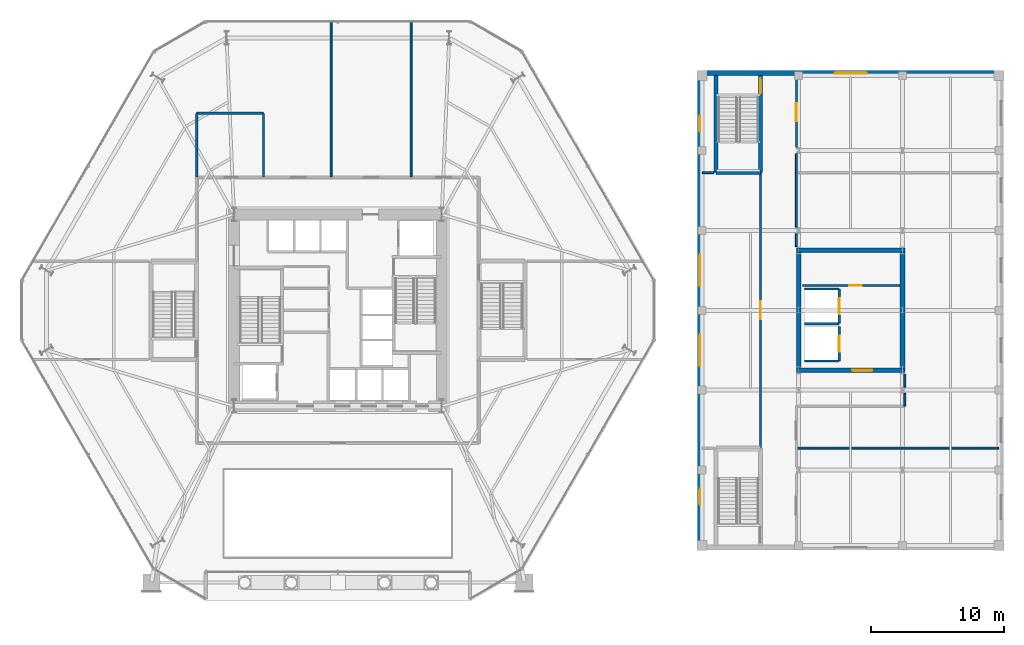
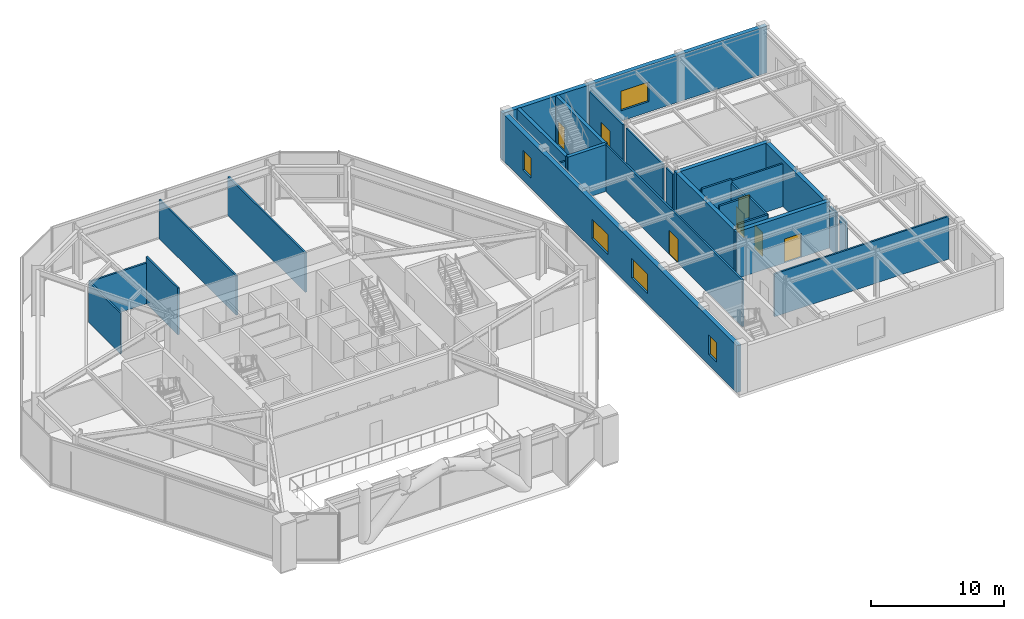
# One storey, part 18 of 23: 28 walls, 7 doors, 5 windows, 12 openings.
"""IFC4 building model written with IfcOpenShell, lengths in metres."""

from ifc_helpers import new_model, si_unit, direction, frame, frame_2d, origin, place, context, subcontext, project, spatial, rectangle, extrude, material, layer, layer_set, type_object, element, fill, save


model = new_model("IFC4")

# Units and contexts
model_context = context("Model", 3, precision=1e-05, world=origin(), true_north=direction((0.0, 1.0)))
body_context = subcontext(model_context, "Body", "Model", "MODEL_VIEW")
ifc_project = project(units=[si_unit("LENGTHUNIT", "METRE"), si_unit("AREAUNIT", "SQUARE_METRE"), si_unit("VOLUMEUNIT", "CUBIC_METRE"), si_unit("PLANEANGLEUNIT", "RADIAN"), si_unit("MASSUNIT", "GRAM", prefix="KILO")], contexts=[model_context])

# Site, building, storey
site_placement = place(None, origin())
site = spatial("IfcSite", under=ifc_project, at=site_placement, CompositionType="ELEMENT")
building_placement = place(site_placement, origin())
building = spatial("IfcBuilding", under=site, at=building_placement, Name="Kranzbogen Civic Tower", CompositionType="ELEMENT")
storey_placement = place(building_placement, frame((0.0, 0.0, 14.39990234375)))
storey = spatial("IfcBuildingStorey", under=building, at=storey_placement, Name="L03", CompositionType="ELEMENT", Elevation=14.39990234375)

# Walls
ifc_material_1 = material(Name="Double-Stud Acoustic Gypsum Partition")
ifc_layer_1 = layer(ifc_material_1, 0.14990234375, Name="Double-Stud Acoustic Gypsum Partition")
ifc_layer_set_1 = layer_set([ifc_layer_1], Name="Double-Stud Acoustic Gypsum Partition")
wall_type_1 = type_object("IfcWallType", Name="Acoustic Corridor and Clinical Partition 150 mm", PredefinedType="PARTITIONING", material=ifc_layer_set_1)
for number, where, z_axis, x_axis, name in (
    (1, (24.5, 35.030029296875, 0.0), (0.0, 0.0, 1.0), (0.0, 1.0, 0.0), "L03 podium partition 08"),
    (2, (30.5, 35.030029296875, 0.0), (0.0, 0.0, 1.0), (0.0, 1.0, 0.0), "L03 podium partition 09"),
):
    element("IfcWall", number, at=place(storey_placement, frame(where, z_axis=z_axis, x_axis=x_axis)), inside=storey, type_object=wall_type_1, Name=name, PredefinedType="PARTITIONING", context=body_context, shape_type="SweptSolid", body=[
        extrude(rectangle(XDim=11.669921875, YDim=0.14990234375, at=frame_2d((5.8349609375, 0.0))), origin(), (0.0, 0.0, 1.0), 3.60009765625),
    ])

# Wall, opening, door
wall_1_placement = place(storey_placement, frame((56.75, 14.64990234375, 0.0), z_axis=(0.0, 0.0, 1.0), x_axis=(0.0, 1.0, 0.0)))
wall_1 = element("IfcWall", 3, at=wall_1_placement, inside=storey, type_object=wall_type_1, Name="L03 clinical corridor W wall", PredefinedType="PARTITIONING", context=body_context, shape_type="SweptSolid", body=[
    extrude(rectangle(XDim=20.7001953125, YDim=0.14990234375, at=frame_2d((10.35009765625, 0.0))), origin(), (0.0, 0.0, 1.0), 4.300048828125),
])
opening_1_placement = place(wall_1_placement, frame((9.675048828125, 0.0, 0.0)))
opening_1 = element("IfcOpeningElement", 4, at=opening_1_placement, cuts=wall_1, Name="Opening D-CLN60", PredefinedType="OPENING", context=body_context, shape_type="SweptSolid", body=[
    extrude(rectangle(XDim=1.35009765625, YDim=2.199951171875, at=frame_2d((0.675048828125, 1.10009765625))), frame((0.0, 0.0849609375, 0.0), z_axis=(0.0, -1.0, 0.0), x_axis=(1.0, 0.0, 0.0)), (0.0, 0.0, 1.0), 0.169921875),
])
ifc_material_2 = material(Name="Pale Anodised Aluminium", Category="aluminium")
door_type_1 = type_object("IfcDoorType", Name="Clinical Wide Leaf Door 1350x2200", OperationType="NOTDEFINED", PredefinedType="DOOR", material=ifc_material_2)
door_1_placement = place(opening_1_placement, origin())
door_1 = element("IfcDoor", 5, at=door_1_placement, inside=storey, type_object=door_type_1, Name="L03 Maternal Antenatal Care Lounge door", OperationType="SINGLE_SWING_RIGHT", OverallHeight=2.199951171875, OverallWidth=1.35009765625, PredefinedType="DOOR", context=body_context, shape_type="SweptSolid", body=[
    extrude(rectangle(XDim=1.35009765625, YDim=2.199951171875, at=frame_2d((0.675048828125, 1.10009765625))), frame((0.0, 0.02490234375, 0.0), z_axis=(0.0, -1.0, 0.0), x_axis=(1.0, 0.0, 0.0)), (0.0, 0.0, 1.0), 0.050048828125),
])
fill(opening_1, door_1)

# Walls
wall_2_placement = place(storey_placement, frame((59.425048828125, 29.7900390625, 0.0), z_axis=(0.0, 0.0, 1.0), x_axis=(0.0, 1.0, 0.0)))
element("IfcWall", 6, at=wall_2_placement, inside=storey, type_object=wall_type_1, Name="L03 clinical corridor E2 wall part 1", PredefinedType="PARTITIONING", context=body_context, shape_type="SweptSolid", body=[
    extrude(rectangle(XDim=0.969970703125, YDim=0.14990234375, at=frame_2d((0.48486328125, 0.0))), origin(), (0.0, 0.0, 1.0), 3.940185546875),
])
wall_3_placement = place(storey_placement, frame((59.425048828125, 31.239990234375, 0.0), z_axis=(0.0, 0.0, 1.0), x_axis=(0.0, 1.0, 0.0)))
element("IfcWall", 7, at=wall_3_placement, inside=storey, type_object=wall_type_1, Name="L03 clinical corridor E2 wall part 2", PredefinedType="PARTITIONING", context=body_context, shape_type="SweptSolid", body=[
    extrude(rectangle(XDim=5.52001953125, YDim=0.14990234375, at=frame_2d((2.760009765625, 0.0))), origin(), (0.0, 0.0, 1.0), 3.940185546875),
])

# Wall, opening, door
wall_4_placement = place(storey_placement, frame((59.425048828125, 37.239990234375, 0.0), z_axis=(0.0, 0.0, 1.0), x_axis=(0.0, 1.0, 0.0)))
wall_4 = element("IfcWall", 8, at=wall_4_placement, inside=storey, type_object=wall_type_1, Name="L03 clinical corridor E2 wall part 3", PredefinedType="PARTITIONING", context=body_context, shape_type="SweptSolid", body=[
    extrude(rectangle(XDim=5.070068359375, YDim=0.14990234375, at=frame_2d((2.53515625, 0.0))), origin(), (0.0, 0.0, 1.0), 3.940185546875),
])
opening_2_placement = place(wall_4_placement, frame((1.948974609375, 0.0, 0.0)))
opening_2 = element("IfcOpeningElement", 9, at=opening_2_placement, cuts=wall_4, Name="Opening D-CLN60", PredefinedType="OPENING", context=body_context, shape_type="SweptSolid", body=[
    extrude(rectangle(XDim=1.35009765625, YDim=2.199951171875, at=frame_2d((0.675048828125, 1.10009765625))), frame((0.0, 0.0849609375, 0.0), z_axis=(0.0, -1.0, 0.0), x_axis=(1.0, 0.0, 0.0)), (0.0, 0.0, 1.0), 0.169921875),
])
door_2_placement = place(opening_2_placement, origin())
door_2 = element("IfcDoor", 10, at=door_2_placement, inside=storey, type_object=door_type_1, Name="L03 Family Waiting Area door", OperationType="SINGLE_SWING_RIGHT", OverallHeight=2.199951171875, OverallWidth=1.35009765625, PredefinedType="DOOR", context=body_context, shape_type="SweptSolid", body=[
    extrude(rectangle(XDim=1.35009765625, YDim=2.199951171875, at=frame_2d((0.675048828125, 1.10009765625))), frame((0.0, 0.02490234375, 0.0), z_axis=(0.0, -1.0, 0.0), x_axis=(1.0, 0.0, 0.0)), (0.0, 0.0, 1.0), 0.050048828125),
])
fill(opening_2, door_2)

# Walls
wall_5_placement = place(storey_placement, frame((67.574951171875, 17.800048828125, 0.0), z_axis=(0.0, 0.0, 1.0), x_axis=(0.0, 1.0, 0.0)))
element("IfcWall", 11, at=wall_5_placement, inside=storey, type_object=wall_type_1, Name="L03 clinical partition 01 part 1", PredefinedType="PARTITIONING", context=body_context, shape_type="SweptSolid", body=[
    extrude(rectangle(XDim=0.9599609375, YDim=0.14990234375, at=frame_2d((0.47998046875, 0.0))), origin(), (0.0, 0.0, 1.0), 3.940185546875),
])
wall_6_placement = place(storey_placement, frame((67.574951171875, 19.239990234375, 0.0), z_axis=(0.0, 0.0, 1.0), x_axis=(0.0, 1.0, 0.0)))
element("IfcWall", 12, at=wall_6_placement, inside=storey, type_object=wall_type_1, Name="L03 clinical partition 01 part 2", PredefinedType="PARTITIONING", context=body_context, shape_type="SweptSolid", body=[
    extrude(rectangle(XDim=0.969970703125, YDim=0.14990234375, at=frame_2d((0.48486328125, 0.0))), origin(), (0.0, 0.0, 1.0), 3.940185546875),
])
wall_7_placement = place(storey_placement, frame((59.455078125, 14.64990234375, 0.0), z_axis=(0.0, 0.0, 1.0), x_axis=(1.0, 0.0, 0.0)))
element("IfcWall", 13, at=wall_7_placement, inside=storey, type_object=wall_type_1, Name="L03 clinical partition 04", PredefinedType="PARTITIONING", context=body_context, shape_type="SweptSolid", body=[
    extrude(rectangle(XDim=15.1650390625, YDim=0.14990234375, at=frame_2d((7.58251953125, 0.0))), origin(), (0.0, 0.0, 1.0), 3.940185546875),
])
wall_8_placement = place(storey_placement, frame((52.3798828125, 35.35009765625, 0.0), z_axis=(0.0, 0.0, 1.0), x_axis=(1.0, 0.0, 0.0)))
element("IfcWall", 14, at=wall_8_placement, inside=storey, type_object=wall_type_1, Name="L03 clinical partition 05", PredefinedType="PARTITIONING", context=body_context, shape_type="SweptSolid", body=[
    extrude(rectangle(XDim=0.840087890625, YDim=0.14990234375, at=frame_2d((0.419921875, 0.0))), origin(), (0.0, 0.0, 1.0), 3.940185546875),
])

# Wall, opening, door
ifc_material_3 = material(Name="Gypsum Fireboard Shaftliner")
ifc_layer_2 = layer(ifc_material_3, 0.175048828125, Name="Gypsum Fireboard Shaftliner")
ifc_layer_set_2 = layer_set([ifc_layer_2], Name="Gypsum Fireboard Shaftliner")
wall_type_2 = type_object("IfcWallType", Name="Fire-Rated Lift and Service Shaft Wall 175 mm", PredefinedType="PARTITIONING", material=ifc_layer_set_2)
wall_9_placement = place(storey_placement, frame((62.64990234375, 21.199951171875, 0.0), z_axis=(0.0, 0.0, 1.0), x_axis=(0.0, 1.0, 0.0)))
wall_9 = element("IfcWall", 15, at=wall_9_placement, inside=storey, type_object=wall_type_2, Name="L03 lift HC-L1 landing wall", PredefinedType="PARTITIONING", context=body_context, shape_type="SweptSolid", body=[
    extrude(rectangle(XDim=2.60009765625, YDim=0.175048828125, at=frame_2d((1.300048828125, 0.0))), origin(), (0.0, 0.0, 1.0), 4.300048828125),
])
opening_3_placement = place(wall_9_placement, frame((0.699951171875, 0.0, 0.0)))
opening_3 = element("IfcOpeningElement", 16, at=opening_3_placement, cuts=wall_9, Name="Opening LD-HC-L1", PredefinedType="OPENING", context=body_context, shape_type="SweptSolid", body=[
    extrude(rectangle(XDim=1.199951171875, YDim=2.199951171875, at=frame_2d((0.60009765625, 1.10009765625))), frame((0.0, 0.09765625, 0.0), z_axis=(0.0, -1.0, 0.0), x_axis=(1.0, 0.0, 0.0)), (0.0, 0.0, 1.0), 0.195068359375),
])
door_type_2 = type_object("IfcDoorType", Name="Firefighting and Stretcher Lift Sliding Landing Door 1200x2200", OperationType="DOUBLE_DOOR_SLIDING", PredefinedType="DOOR", material=ifc_material_2)
door_3_placement = place(opening_3_placement, origin())
door_3 = element("IfcDoor", 17, at=door_3_placement, inside=storey, type_object=door_type_2, Name="L03 lift HC-L1 sliding landing door", OperationType="DOUBLE_DOOR_SLIDING", OverallHeight=2.199951171875, OverallWidth=1.199951171875, PredefinedType="DOOR", context=body_context, shape_type="SweptSolid", body=[
    extrude(rectangle(XDim=1.199951171875, YDim=2.199951171875, at=frame_2d((0.60009765625, 1.10009765625))), frame((0.0, 0.02490234375, 0.0), z_axis=(0.0, -1.0, 0.0), x_axis=(1.0, 0.0, 0.0)), (0.0, 0.0, 1.0), 0.050048828125),
])
fill(opening_3, door_3)

# Wall
wall_10_placement = place(storey_placement, frame((60.050048828125, 21.199951171875, 0.0), z_axis=(0.0, 0.0, 1.0), x_axis=(1.0, 0.0, 0.0)))
element("IfcWall", 18, at=wall_10_placement, inside=storey, type_object=wall_type_2, Name="L03 lift HC-L1 side wall", PredefinedType="PARTITIONING", context=body_context, shape_type="SweptSolid", body=[
    extrude(rectangle(XDim=2.599853515625, YDim=0.175048828125, at=frame_2d((1.2998046875, 0.0))), origin(), (0.0, 0.0, 1.0), 4.300048828125),
])

# Wall, opening, door
wall_11_placement = place(storey_placement, frame((62.64990234375, 24.0, 0.0), z_axis=(0.0, 0.0, 1.0), x_axis=(0.0, 1.0, 0.0)))
wall_11 = element("IfcWall", 19, at=wall_11_placement, inside=storey, type_object=wall_type_2, Name="L03 lift HC-L2 landing wall", PredefinedType="PARTITIONING", context=body_context, shape_type="SweptSolid", body=[
    extrude(rectangle(XDim=2.60009765625, YDim=0.175048828125, at=frame_2d((1.300048828125, 0.0))), origin(), (0.0, 0.0, 1.0), 3.940185546875),
])
opening_4_placement = place(wall_11_placement, frame((0.699951171875, 0.0, 0.0)))
opening_4 = element("IfcOpeningElement", 20, at=opening_4_placement, cuts=wall_11, Name="Opening LD-HC-L2", PredefinedType="OPENING", context=body_context, shape_type="SweptSolid", body=[
    extrude(rectangle(XDim=1.199951171875, YDim=2.199951171875, at=frame_2d((0.60009765625, 1.10009765625))), frame((0.0, 0.09765625, 0.0), z_axis=(0.0, -1.0, 0.0), x_axis=(1.0, 0.0, 0.0)), (0.0, 0.0, 1.0), 0.195068359375),
])
door_4_placement = place(opening_4_placement, origin())
door_4 = element("IfcDoor", 21, at=door_4_placement, inside=storey, type_object=door_type_2, Name="L03 lift HC-L2 sliding landing door", OperationType="DOUBLE_DOOR_SLIDING", OverallHeight=2.199951171875, OverallWidth=1.199951171875, PredefinedType="DOOR", context=body_context, shape_type="SweptSolid", body=[
    extrude(rectangle(XDim=1.199951171875, YDim=2.199951171875, at=frame_2d((0.60009765625, 1.10009765625))), frame((0.0, 0.02490234375, 0.0), z_axis=(0.0, -1.0, 0.0), x_axis=(1.0, 0.0, 0.0)), (0.0, 0.0, 1.0), 0.050048828125),
])
fill(opening_4, door_4)

# Walls
for number, where, z_axis, x_axis, name in (
    (22, (60.050048828125, 24.0, 0.0), (0.0, 0.0, 1.0), (1.0, 0.0, 0.0), "L03 lift HC-L2 side wall"),
    (23, (60.050048828125, 26.60009765625, 0.0), (0.0, 0.0, 1.0), (1.0, 0.0, 0.0), "L03 lift HC-L2 North shaft wall"),
):
    element("IfcWall", number, at=place(storey_placement, frame(where, z_axis=z_axis, x_axis=x_axis)), inside=storey, type_object=wall_type_2, Name=name, PredefinedType="PARTITIONING", context=body_context, shape_type="SweptSolid", body=[
        extrude(rectangle(XDim=2.599853515625, YDim=0.175048828125, at=frame_2d((1.2998046875, 0.0))), origin(), (0.0, 0.0, 1.0), 4.300048828125),
    ])

# Wall, opening, door
ifc_material_4 = material(Name="Concrete C40/50", Category="concrete")
ifc_layer_3 = layer(ifc_material_4, 0.35009765625, Name="Concrete C40/50")
ifc_layer_set_3 = layer_set([ifc_layer_3], Name="Concrete C40/50")
wall_type_3 = type_object("IfcWallType", Name="Health Centre Core Shear Wall 350 mm", PredefinedType="SHEAR", material=ifc_layer_set_3)
wall_12_placement = place(storey_placement, frame((59.425048828125, 20.5, 0.0), z_axis=(0.0, 0.0, 1.0), x_axis=(1.0, 0.0, 0.0)))
wall_12 = element("IfcWall", 24, at=wall_12_placement, inside=storey, type_object=wall_type_3, Name="L03 Health Centre core South shear wall", PredefinedType="SHEAR", context=body_context, shape_type="SweptSolid", body=[
    extrude(rectangle(XDim=8.14990234375, YDim=0.35009765625, at=frame_2d((4.074951171875, 0.0))), origin(), (0.0, 0.0, 1.0), 4.300048828125),
])
opening_5_placement = place(wall_12_placement, frame((4.199951171875, 0.0, 0.0)))
opening_5 = element("IfcOpeningElement", 25, at=opening_5_placement, cuts=wall_12, Name="Opening D-DBL15", PredefinedType="OPENING", context=body_context, shape_type="SweptSolid", body=[
    extrude(rectangle(XDim=1.5, YDim=2.199951171875, at=frame_2d((0.75, 1.10009765625))), frame((0.0, 0.18505859375, 0.0), z_axis=(0.0, -1.0, 0.0), x_axis=(1.0, 0.0, 0.0)), (0.0, 0.0, 1.0), 0.3701171875),
])
ifc_material_5 = material(Name="Anodised Bronze and Glass", Category="glass")
door_type_3 = type_object("IfcDoorType", Name="Civic Lobby Double Door 1500x2200", OperationType="DOUBLE_DOOR_SINGLE_SWING", PredefinedType="DOOR", material=ifc_material_5)
door_5_placement = place(opening_5_placement, origin())
door_5 = element("IfcDoor", 26, at=door_5_placement, inside=storey, type_object=door_type_3, Name="L03 Health Centre Lift Lobby door", OperationType="DOUBLE_DOOR_SINGLE_SWING", OverallHeight=2.199951171875, OverallWidth=1.5, PredefinedType="DOOR", context=body_context, shape_type="SweptSolid", body=[
    extrude(rectangle(XDim=1.5, YDim=2.199951171875, at=frame_2d((0.75, 1.10009765625))), frame((0.0, 0.02490234375, 0.0), z_axis=(0.0, -1.0, 0.0), x_axis=(1.0, 0.0, 0.0)), (0.0, 0.0, 1.0), 0.050048828125),
])
fill(opening_5, door_5)

# Walls
wall_13_placement = place(storey_placement, frame((67.574951171875, 29.5, 0.0), z_axis=(0.0, 0.0, 1.0), x_axis=(-1.0, 0.0, 0.0)))
element("IfcWall", 27, at=wall_13_placement, inside=storey, type_object=wall_type_3, Name="L03 Health Centre core North shear wall", PredefinedType="SHEAR", context=body_context, shape_type="SweptSolid", body=[
    extrude(rectangle(XDim=8.14990234375, YDim=0.35009765625, at=frame_2d((4.074951171875, 0.0))), origin(), (0.0, 0.0, 1.0), 4.300048828125),
])
for number, where, z_axis, x_axis, name in (
    (28, (59.60009765625, 29.324951171875, 0.0), (0.0, 0.0, 1.0), (0.0, -1.0, 0.0), "L03 Health Centre core West shear wall"),
    (29, (67.39990234375, 20.675048828125, 0.0), (0.0, 0.0, 1.0), (0.0, 1.0, 0.0), "L03 Health Centre core East shear wall"),
):
    element("IfcWall", number, at=place(storey_placement, frame(where, z_axis=z_axis, x_axis=x_axis)), inside=storey, type_object=wall_type_3, Name=name, PredefinedType="SHEAR", context=body_context, shape_type="SweptSolid", body=[
        extrude(rectangle(XDim=8.64990234375, YDim=0.35009765625, at=frame_2d((4.324951171875, 0.0))), origin(), (0.0, 0.0, 1.0), 4.300048828125),
    ])

# Wall, opening, window
ifc_material_6 = material(Name="Precast concrete C40/50", Category="concrete")
ifc_layer_4 = layer(ifc_material_6, 0.3798828125, Name="Precast concrete C40/50")
ifc_layer_set_4 = layer_set([ifc_layer_4], Name="Precast concrete C40/50")
wall_type_4 = type_object("IfcWallType", Name="Health Centre Insulated Precast Facade Wall 380 mm", PredefinedType="STANDARD", material=ifc_layer_set_4)
wall_14_placement = place(storey_placement, frame((52.0, 42.81005859375, 0.0), z_axis=(0.0, 0.0, 1.0), x_axis=(1.0, 0.0, 0.0)))
wall_14 = element("IfcWall", 30, at=wall_14_placement, inside=storey, type_object=wall_type_4, Name="L03 Health Centre North facade wall", PredefinedType="STANDARD", context=body_context, shape_type="SweptSolid", body=[
    extrude(rectangle(XDim=23.0, YDim=0.3798828125, at=frame_2d((11.5, 0.0))), origin(), (0.0, 0.0, 1.0), 4.300048828125),
])
opening_6_placement = place(wall_14_placement, frame((10.300048828125, 0.0, 0.949951171875)))
opening_6 = element("IfcOpeningElement", 31, at=opening_6_placement, cuts=wall_14, Name="Opening W-HC24", PredefinedType="OPENING", context=body_context, shape_type="SweptSolid", body=[
    extrude(rectangle(XDim=2.39990234375, YDim=1.800048828125, at=frame_2d((1.199951171875, 0.89990234375))), frame((0.0, 0.199951171875, 0.0), z_axis=(0.0, -1.0, 0.0), x_axis=(1.0, 0.0, 0.0)), (0.0, 0.0, 1.0), 0.39990234375),
])
ifc_material_7 = material(Name="Low-E Triple Glazing Glass", Category="glass")
window_type_1 = type_object("IfcWindowType", Name="Wide Clinical Window 2400x1800", PartitioningType="TRIPLE_PANEL_VERTICAL", PredefinedType="WINDOW", material=ifc_material_7)
window_1_placement = place(opening_6_placement, origin())
window_1 = element("IfcWindow", 32, at=window_1_placement, inside=storey, type_object=window_type_1, Name="L03 Health Centre North window", OverallHeight=1.800048828125, OverallWidth=2.39990234375, PartitioningType="TRIPLE_PANEL_VERTICAL", PredefinedType="WINDOW", context=body_context, shape_type="SweptSolid", body=[
    extrude(rectangle(XDim=2.39990234375, YDim=1.800048828125, at=frame_2d((1.199951171875, 0.89990234375))), frame((0.0, 0.030029296875, 0.0), z_axis=(0.0, -1.0, 0.0), x_axis=(1.0, 0.0, 0.0)), (0.0, 0.0, 1.0), 0.06005859375),
])
fill(opening_6, window_1)

# Wall, openings, windows
wall_15_placement = place(storey_placement, frame((52.18994140625, 7.3798828125, 0.0), z_axis=(0.0, 0.0, 1.0), x_axis=(0.0, 1.0, 0.0)))
wall_15 = element("IfcWall", 33, at=wall_15_placement, inside=storey, type_object=wall_type_4, Name="L03 Health Centre West facade wall", PredefinedType="STANDARD", context=body_context, shape_type="SweptSolid", body=[
    extrude(rectangle(XDim=35.240234375, YDim=0.3798828125, at=frame_2d((17.6201171875, 0.0))), origin(), (0.0, 0.0, 1.0), 4.300048828125),
])
opening_7_placement = place(wall_15_placement, frame((3.02001953125, 0.0, 0.949951171875)))
opening_7 = element("IfcOpeningElement", 34, at=opening_7_placement, cuts=wall_15, Name="Opening W-HC12", PredefinedType="OPENING", context=body_context, shape_type="SweptSolid", body=[
    extrude(rectangle(XDim=1.199951171875, YDim=1.800048828125, at=frame_2d((0.60009765625, 0.89990234375))), frame((0.0, 0.199951171875, 0.0), z_axis=(0.0, -1.0, 0.0), x_axis=(1.0, 0.0, 0.0)), (0.0, 0.0, 1.0), 0.39990234375),
])
opening_8_placement = place(wall_15_placement, frame((13.419921875, 0.0, 0.949951171875)))
opening_8 = element("IfcOpeningElement", 35, at=opening_8_placement, cuts=wall_15, Name="Opening W-HC24", PredefinedType="OPENING", context=body_context, shape_type="SweptSolid", body=[
    extrude(rectangle(XDim=2.39990234375, YDim=1.800048828125, at=frame_2d((1.199951171875, 0.89990234375))), frame((0.0, 0.199951171875, 0.0), z_axis=(0.0, -1.0, 0.0), x_axis=(1.0, 0.0, 0.0)), (0.0, 0.0, 1.0), 0.39990234375),
])
opening_9_placement = place(wall_15_placement, frame((19.419921875, 0.0, 0.949951171875)))
opening_9 = element("IfcOpeningElement", 36, at=opening_9_placement, cuts=wall_15, Name="Opening W-HC24", PredefinedType="OPENING", context=body_context, shape_type="SweptSolid", body=[
    extrude(rectangle(XDim=2.39990234375, YDim=1.800048828125, at=frame_2d((1.199951171875, 0.89990234375))), frame((0.0, 0.199951171875, 0.0), z_axis=(0.0, -1.0, 0.0), x_axis=(1.0, 0.0, 0.0)), (0.0, 0.0, 1.0), 0.39990234375),
])
opening_10_placement = place(wall_15_placement, frame((31.02001953125, 0.0, 0.949951171875)))
opening_10 = element("IfcOpeningElement", 37, at=opening_10_placement, cuts=wall_15, Name="Opening W-HC12", PredefinedType="OPENING", context=body_context, shape_type="SweptSolid", body=[
    extrude(rectangle(XDim=1.199951171875, YDim=1.800048828125, at=frame_2d((0.60009765625, 0.89990234375))), frame((0.0, 0.199951171875, 0.0), z_axis=(0.0, -1.0, 0.0), x_axis=(1.0, 0.0, 0.0)), (0.0, 0.0, 1.0), 0.39990234375),
])
window_type_2 = type_object("IfcWindowType", Name="Stair and End-Bay Window 1200x1800", PartitioningType="SINGLE_PANEL", PredefinedType="WINDOW", material=ifc_material_7)
window_2_placement = place(opening_7_placement, origin())
window_2 = element("IfcWindow", 38, at=window_2_placement, inside=storey, type_object=window_type_2, Name="L03 Health Centre West bay 1 window", OverallHeight=1.800048828125, OverallWidth=1.199951171875, PartitioningType="SINGLE_PANEL", PredefinedType="WINDOW", context=body_context, shape_type="SweptSolid", body=[
    extrude(rectangle(XDim=1.199951171875, YDim=1.800048828125, at=frame_2d((0.60009765625, 0.89990234375))), frame((0.0, 0.030029296875, 0.0), z_axis=(0.0, -1.0, 0.0), x_axis=(1.0, 0.0, 0.0)), (0.0, 0.0, 1.0), 0.06005859375),
])
fill(opening_7, window_2)
window_3_placement = place(opening_10_placement, origin())
window_3 = element("IfcWindow", 39, at=window_3_placement, inside=storey, type_object=window_type_2, Name="L03 Health Centre West bay 4 window", OverallHeight=1.800048828125, OverallWidth=1.199951171875, PartitioningType="SINGLE_PANEL", PredefinedType="WINDOW", context=body_context, shape_type="SweptSolid", body=[
    extrude(rectangle(XDim=1.199951171875, YDim=1.800048828125, at=frame_2d((0.60009765625, 0.89990234375))), frame((0.0, 0.030029296875, 0.0), z_axis=(0.0, -1.0, 0.0), x_axis=(1.0, 0.0, 0.0)), (0.0, 0.0, 1.0), 0.06005859375),
])
fill(opening_10, window_3)
window_4_placement = place(opening_8_placement, origin())
window_4 = element("IfcWindow", 40, at=window_4_placement, inside=storey, type_object=window_type_1, Name="L03 Health Centre West bay 2 window", OverallHeight=1.800048828125, OverallWidth=2.39990234375, PartitioningType="TRIPLE_PANEL_VERTICAL", PredefinedType="WINDOW", context=body_context, shape_type="SweptSolid", body=[
    extrude(rectangle(XDim=2.39990234375, YDim=1.800048828125, at=frame_2d((1.199951171875, 0.89990234375))), frame((0.0, 0.030029296875, 0.0), z_axis=(0.0, -1.0, 0.0), x_axis=(1.0, 0.0, 0.0)), (0.0, 0.0, 1.0), 0.06005859375),
])
fill(opening_8, window_4)
window_5_placement = place(opening_9_placement, origin())
window_5 = element("IfcWindow", 41, at=window_5_placement, inside=storey, type_object=window_type_1, Name="L03 Health Centre West bay 3 window", OverallHeight=1.800048828125, OverallWidth=2.39990234375, PartitioningType="TRIPLE_PANEL_VERTICAL", PredefinedType="WINDOW", context=body_context, shape_type="SweptSolid", body=[
    extrude(rectangle(XDim=2.39990234375, YDim=1.800048828125, at=frame_2d((1.199951171875, 0.89990234375))), frame((0.0, 0.030029296875, 0.0), z_axis=(0.0, -1.0, 0.0), x_axis=(1.0, 0.0, 0.0)), (0.0, 0.0, 1.0), 0.06005859375),
])
fill(opening_9, window_5)

# Wall, opening, door
ifc_material_8 = material(Name="Moisture-Resistant Gypsum Assembly")
ifc_layer_5 = layer(ifc_material_8, 0.159912109375, Name="Moisture-Resistant Gypsum Assembly")
ifc_layer_set_5 = layer_set([ifc_layer_5], Name="Moisture-Resistant Gypsum Assembly")
wall_type_5 = type_object("IfcWallType", Name="Sanitary and Plumbing Wet Wall 160 mm", PredefinedType="PLUMBINGWALL", material=ifc_layer_set_5)
wall_16_placement = place(storey_placement, frame((59.89990234375, 26.875, 0.0), z_axis=(0.0, 0.0, 1.0), x_axis=(1.0, 0.0, 0.0)))
wall_16 = element("IfcWall", 42, at=wall_16_placement, inside=storey, type_object=wall_type_5, Name="L03 HC Accessible WC wall", PredefinedType="PLUMBINGWALL", context=body_context, shape_type="SweptSolid", body=[
    extrude(rectangle(XDim=7.3251953125, YDim=0.159912109375, at=frame_2d((3.66259765625, 0.0))), origin(), (0.0, 0.0, 1.0), 3.940185546875),
])
opening_11_placement = place(wall_16_placement, frame((3.5, 0.0, 0.0)))
opening_11 = element("IfcOpeningElement", 43, at=opening_11_placement, cuts=wall_16, Name="Opening D-AWC95", PredefinedType="OPENING", context=body_context, shape_type="SweptSolid", body=[
    extrude(rectangle(XDim=0.949951171875, YDim=2.10009765625, at=frame_2d((0.47509765625, 1.050048828125))), frame((0.0, 0.08984375, 0.0), z_axis=(0.0, -1.0, 0.0), x_axis=(1.0, 0.0, 0.0)), (0.0, 0.0, 1.0), 0.179931640625),
])
ifc_material_9 = material(Name="Moisture-Resistant Laminate")
door_type_4 = type_object("IfcDoorType", Name="Accessible Restroom Door 950x2100", OperationType="NOTDEFINED", PredefinedType="DOOR", material=ifc_material_9)
door_6_placement = place(opening_11_placement, origin())
door_6 = element("IfcDoor", 44, at=door_6_placement, inside=storey, type_object=door_type_4, Name="L03 Patient Accessible Restroom door", OperationType="SINGLE_SWING_RIGHT", OverallHeight=2.10009765625, OverallWidth=0.949951171875, PredefinedType="DOOR", context=body_context, shape_type="SweptSolid", body=[
    extrude(rectangle(XDim=0.949951171875, YDim=2.10009765625, at=frame_2d((0.47509765625, 1.050048828125))), frame((0.0, 0.02490234375, 0.0), z_axis=(0.0, -1.0, 0.0), x_axis=(1.0, 0.0, 0.0)), (0.0, 0.0, 1.0), 0.050048828125),
])
fill(opening_11, door_6)

# Walls
wall_17_placement = place(storey_placement, frame((14.39990234375, 39.800048828125, 0.0), z_axis=(0.0, 0.0, 1.0), x_axis=(1.0, 0.0, 0.0)))
element("IfcWall", 45, at=wall_17_placement, inside=storey, type_object=wall_type_5, Name="L03 podium partition 01", PredefinedType="PLUMBINGWALL", context=body_context, shape_type="SweptSolid", body=[
    extrude(rectangle(XDim=5.0, YDim=0.159912109375, at=frame_2d((2.5, 0.0))), origin(), (0.0, 0.0, 1.0), 3.75),
])
wall_18_placement = place(storey_placement, frame((19.39990234375, 35.0, 0.0), z_axis=(0.0, 0.0, 1.0), x_axis=(0.0, 1.0, 0.0)))
element("IfcWall", 46, at=wall_18_placement, inside=storey, type_object=wall_type_5, Name="L03 podium partition 02", PredefinedType="PLUMBINGWALL", context=body_context, shape_type="SweptSolid", body=[
    extrude(rectangle(XDim=4.800048828125, YDim=0.159912109375, at=frame_2d((2.39990234375, 0.0))), origin(), (0.0, 0.0, 1.0), 4.300048828125),
])
wall_19_placement = place(storey_placement, frame((14.39990234375, 35.0, 0.0), z_axis=(0.0, 0.0, 1.0), x_axis=(0.0, 1.0, 0.0)))
element("IfcWall", 47, at=wall_19_placement, inside=storey, type_object=wall_type_5, Name="L03 podium partition 03", PredefinedType="PLUMBINGWALL", context=body_context, shape_type="SweptSolid", body=[
    extrude(rectangle(XDim=4.800048828125, YDim=0.159912109375, at=frame_2d((2.39990234375, 0.0))), origin(), (0.0, 0.0, 1.0), 3.75),
])

# Wall, opening, door
ifc_layer_6 = layer(ifc_material_4, 0.300048828125, Name="Concrete C40/50")
ifc_layer_set_6 = layer_set([ifc_layer_6], Name="Concrete C40/50")
wall_type_6 = type_object("IfcWallType", Name="Structural Ramp and Stair Shaft Wall 300 mm", PredefinedType="SOLIDWALL", material=ifc_layer_set_6)
wall_20_placement = place(storey_placement, frame((56.75, 35.35009765625, 0.0), z_axis=(0.0, 0.0, 1.0), x_axis=(0.0, 1.0, 0.0)))
wall_20 = element("IfcWall", 48, at=wall_20_placement, inside=storey, type_object=wall_type_6, Name="L03 STH2 E structural stair wall", PredefinedType="SOLIDWALL", context=body_context, shape_type="SweptSolid", body=[
    extrude(rectangle(XDim=7.2998046875, YDim=0.300048828125, at=frame_2d((3.64990234375, 0.0))), origin(), (0.0, 0.0, 1.0), 4.300048828125),
])
opening_12_placement = place(wall_20_placement, frame((5.919921875, 0.0, 0.0)))
opening_12 = element("IfcOpeningElement", 49, at=opening_12_placement, cuts=wall_20, Name="Opening D-ST90", PredefinedType="OPENING", context=body_context, shape_type="SweptSolid", body=[
    extrude(rectangle(XDim=1.14990234375, YDim=2.199951171875, at=frame_2d((0.574951171875, 1.10009765625))), frame((0.0, 0.16015625, 0.0), z_axis=(0.0, -1.0, 0.0), x_axis=(1.0, 0.0, 0.0)), (0.0, 0.0, 1.0), 0.320068359375),
])
ifc_material_10 = material(Name="Steel S355", Category="steel")
door_type_5 = type_object("IfcDoorType", Name="Pressurized Stair and Lobby Fire Door 1150x2200", OperationType="NOTDEFINED", PredefinedType="DOOR", material=ifc_material_10)
door_7_placement = place(opening_12_placement, origin())
door_7 = element("IfcDoor", 50, at=door_7_placement, inside=storey, type_object=door_type_5, Name="L03 Health Centre Stair 2 fire door", OperationType="SINGLE_SWING_LEFT", OverallHeight=2.199951171875, OverallWidth=1.14990234375, PredefinedType="DOOR", context=body_context, shape_type="SweptSolid", body=[
    extrude(rectangle(XDim=1.14990234375, YDim=2.199951171875, at=frame_2d((0.574951171875, 1.10009765625))), frame((0.0, 0.02490234375, 0.0), z_axis=(0.0, -1.0, 0.0), x_axis=(1.0, 0.0, 0.0)), (0.0, 0.0, 1.0), 0.050048828125),
])
fill(opening_12, door_7)

# Walls
wall_21_placement = place(storey_placement, frame((53.39990234375, 35.35009765625, 0.0), z_axis=(0.0, 0.0, 1.0), x_axis=(0.0, 1.0, 0.0)))
element("IfcWall", 51, at=wall_21_placement, inside=storey, type_object=wall_type_6, Name="L03 STH2 W structural stair wall", PredefinedType="SOLIDWALL", context=body_context, shape_type="SweptSolid", body=[
    extrude(rectangle(XDim=7.2998046875, YDim=0.300048828125, at=frame_2d((3.64990234375, 0.0))), origin(), (0.0, 0.0, 1.0), 4.300048828125),
])
wall_22_placement = place(storey_placement, frame((53.39990234375, 35.35009765625, 0.0), z_axis=(0.0, 0.0, 1.0), x_axis=(1.0, 0.0, 0.0)))
element("IfcWall", 52, at=wall_22_placement, inside=storey, type_object=wall_type_6, Name="L03 STH2 S structural stair wall", PredefinedType="SOLIDWALL", context=body_context, shape_type="SweptSolid", body=[
    extrude(rectangle(XDim=3.35009765625, YDim=0.300048828125, at=frame_2d((1.675048828125, 0.0))), origin(), (0.0, 0.0, 1.0), 4.300048828125),
])

save(model, "model.ifc")
